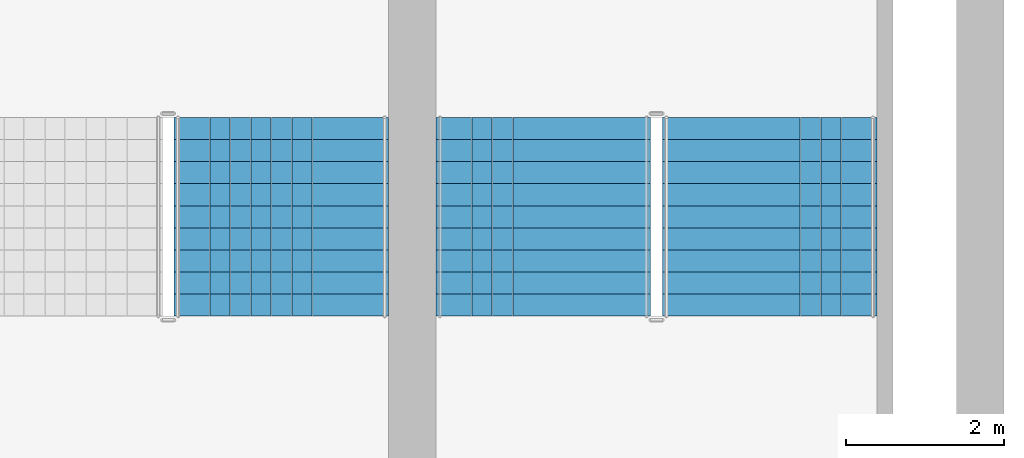
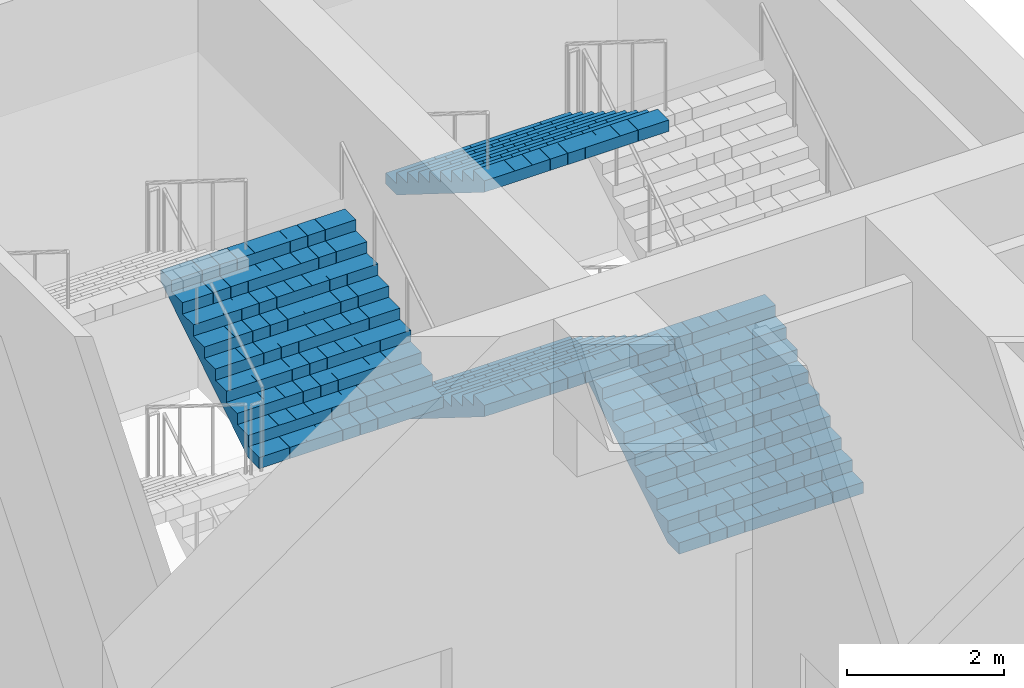
# One storey, part 39 of 45: 4 stair flights, 2 elements without a shape of their own.
"""IFC4 building model written with IfcOpenShell, lengths in metres."""

from ifc_helpers import new_model, si_unit, direction, frame, origin, place, context, subcontext, project, spatial, polyline, outline, extrude, material, type_object, element, aggregate, save


model = new_model("IFC4")

# Units and contexts
model_context = context("Model", 3, precision=1e-05, world=origin(), true_north=direction((0.0, 1.0)))
body_context = subcontext(model_context, "Body", "Model", "MODEL_VIEW")
ifc_project = project(units=[si_unit("LENGTHUNIT", "METRE"), si_unit("AREAUNIT", "SQUARE_METRE"), si_unit("VOLUMEUNIT", "CUBIC_METRE"), si_unit("PLANEANGLEUNIT", "RADIAN"), si_unit("MASSUNIT", "GRAM", prefix="KILO")], contexts=[model_context])

# Site, building, storey
site_placement = place(None, origin())
site = spatial("IfcSite", under=ifc_project, at=site_placement, CompositionType="ELEMENT")
building_placement = place(site_placement, origin())
building = spatial("IfcBuilding", under=site, at=building_placement, Name="Corbelhall Arena Tower", CompositionType="ELEMENT")
storey_placement = place(building_placement, frame((0.0, 0.0, 37.0)))
storey = spatial("IfcBuildingStorey", under=building, at=storey_placement, Name="L05", CompositionType="ELEMENT", Elevation=37.0)

# Stair, stair flight
ifc_material = material(Name="Reinforced concrete C40/50", Category="concrete")
stair_type = type_object("IfcStairType", Name="AR-EXIT-STAIR", PredefinedType="HALF_TURN_STAIR", material=ifc_material)
stair_1_placement = place(storey_placement, origin())
stair_1 = element("IfcStair", 1, at=stair_1_placement, inside=storey, type_object=stair_type, Name="L05 exit stair AS1", PredefinedType="HALF_TURN_STAIR")
stair_flight_type = type_object("IfcStairFlightType", Name="AR-EXIT-FLIGHT", PredefinedType="STRAIGHT", material=ifc_material)
stair_flight_1_placement = place(storey_placement, frame((38.840087890625, 27.320068359375, 3.5), z_axis=(0.0, 0.0, 1.0), x_axis=(0.0, 1.0, 0.0)))
stair_flight_1 = element("IfcStairFlight", 2, at=stair_flight_1_placement, type_object=stair_flight_type, Name="AS1 flight 3", NumberOfRisers=10, NumberOfTreads=9, PredefinedType="STRAIGHT", RiserHeight=0.175, TreadLength=0.28, context=body_context, shape_type="SweptSolid", body=[
    extrude(outline(polyline([(0.0, 0.0), (0.0, 0.175048828125), (0.280029296875, 0.175048828125), (0.280029296875, 0.35009765625), (0.56005859375, 0.35009765625), (0.56005859375, 0.52490234375), (0.840087890625, 0.52490234375), (0.840087890625, 0.699951171875), (1.1201171875, 0.699951171875), (1.1201171875, 0.875), (1.39990234375, 0.875), (1.39990234375, 1.050048828125), (1.679931640625, 1.050048828125), (1.679931640625, 1.22509765625), (1.9599609375, 1.22509765625), (1.9599609375, 1.39990234375), (2.239990234375, 1.39990234375), (2.239990234375, 1.574951171875), (2.52001953125, 1.574951171875), (2.52001953125, 1.75), (2.52001953125, 1.398193359375), (0.28271484375, 0.0), (0.0, 0.0)])), frame((0.0, 1.35986328125, 0.0), z_axis=(0.0, -1.0, 0.0), x_axis=(1.0, 0.0, 0.0)), (0.0, 0.0, 1.0), 0.449951171875),
    extrude(outline(polyline([(0.0, 0.0), (0.0, 0.175048828125), (0.280029296875, 0.175048828125), (0.280029296875, 0.35009765625), (0.56005859375, 0.35009765625), (0.56005859375, 0.52490234375), (0.840087890625, 0.52490234375), (0.840087890625, 0.699951171875), (1.1201171875, 0.699951171875), (1.1201171875, 0.875), (1.39990234375, 0.875), (1.39990234375, 1.050048828125), (1.679931640625, 1.050048828125), (1.679931640625, 1.22509765625), (1.9599609375, 1.22509765625), (1.9599609375, 1.39990234375), (2.239990234375, 1.39990234375), (2.239990234375, 1.574951171875), (2.52001953125, 1.574951171875), (2.52001953125, 1.75), (2.52001953125, 1.398193359375), (0.28271484375, 0.0), (0.0, 0.0)])), frame((0.0, 0.906005859375, 0.0), z_axis=(0.0, -1.0, 0.0), x_axis=(1.0, 0.0, 0.0)), (0.0, 0.0, 1.0), 0.25537109375),
    extrude(outline(polyline([(0.0, 0.0), (0.0, 0.175048828125), (0.280029296875, 0.175048828125), (0.280029296875, 0.35009765625), (0.56005859375, 0.35009765625), (0.56005859375, 0.52490234375), (0.840087890625, 0.52490234375), (0.840087890625, 0.699951171875), (1.1201171875, 0.699951171875), (1.1201171875, 0.875), (1.39990234375, 0.875), (1.39990234375, 1.050048828125), (1.679931640625, 1.050048828125), (1.679931640625, 1.22509765625), (1.9599609375, 1.22509765625), (1.9599609375, 1.39990234375), (2.239990234375, 1.39990234375), (2.239990234375, 1.574951171875), (2.52001953125, 1.574951171875), (2.52001953125, 1.75), (2.52001953125, 1.398193359375), (0.28271484375, 0.0), (0.0, 0.0)])), frame((0.0, 0.646484375, 0.0), z_axis=(0.0, -1.0, 0.0), x_axis=(1.0, 0.0, 0.0)), (0.0, 0.0, 1.0), 0.25537109375),
    extrude(outline(polyline([(0.0, 0.0), (0.0, 0.175048828125), (0.280029296875, 0.175048828125), (0.280029296875, 0.35009765625), (0.56005859375, 0.35009765625), (0.56005859375, 0.52490234375), (0.840087890625, 0.52490234375), (0.840087890625, 0.699951171875), (1.1201171875, 0.699951171875), (1.1201171875, 0.875), (1.39990234375, 0.875), (1.39990234375, 1.050048828125), (1.679931640625, 1.050048828125), (1.679931640625, 1.22509765625), (1.9599609375, 1.22509765625), (1.9599609375, 1.39990234375), (2.239990234375, 1.39990234375), (2.239990234375, 1.574951171875), (2.52001953125, 1.574951171875), (2.52001953125, 1.75), (2.52001953125, 1.398193359375), (0.28271484375, 0.0), (0.0, 0.0)])), frame((0.0, 0.38720703125, 0.0), z_axis=(0.0, -1.0, 0.0), x_axis=(1.0, 0.0, 0.0)), (0.0, 0.0, 1.0), 0.25537109375),
    extrude(outline(polyline([(0.0, 0.0), (0.0, 0.175048828125), (0.280029296875, 0.175048828125), (0.280029296875, 0.35009765625), (0.56005859375, 0.35009765625), (0.56005859375, 0.52490234375), (0.840087890625, 0.52490234375), (0.840087890625, 0.699951171875), (1.1201171875, 0.699951171875), (1.1201171875, 0.875), (1.39990234375, 0.875), (1.39990234375, 1.050048828125), (1.679931640625, 1.050048828125), (1.679931640625, 1.22509765625), (1.9599609375, 1.22509765625), (1.9599609375, 1.39990234375), (2.239990234375, 1.39990234375), (2.239990234375, 1.574951171875), (2.52001953125, 1.574951171875), (2.52001953125, 1.75), (2.52001953125, 1.398193359375), (0.28271484375, 0.0), (0.0, 0.0)])), frame((0.0, 0.127685546875, 0.0), z_axis=(0.0, -1.0, 0.0), x_axis=(1.0, 0.0, 0.0)), (0.0, 0.0, 1.0), 0.25537109375),
    extrude(outline(polyline([(0.0, 0.0), (0.0, 0.175048828125), (0.280029296875, 0.175048828125), (0.280029296875, 0.35009765625), (0.56005859375, 0.35009765625), (0.56005859375, 0.52490234375), (0.840087890625, 0.52490234375), (0.840087890625, 0.699951171875), (1.1201171875, 0.699951171875), (1.1201171875, 0.875), (1.39990234375, 0.875), (1.39990234375, 1.050048828125), (1.679931640625, 1.050048828125), (1.679931640625, 1.22509765625), (1.9599609375, 1.22509765625), (1.9599609375, 1.39990234375), (2.239990234375, 1.39990234375), (2.239990234375, 1.574951171875), (2.52001953125, 1.574951171875), (2.52001953125, 1.75), (2.52001953125, 1.398193359375), (0.28271484375, 0.0), (0.0, 0.0)])), frame((0.0, -0.131591796875, 0.0), z_axis=(0.0, -1.0, 0.0), x_axis=(1.0, 0.0, 0.0)), (0.0, 0.0, 1.0), 0.25537109375),
    extrude(outline(polyline([(0.0, 0.0), (0.0, 0.175048828125), (0.280029296875, 0.175048828125), (0.280029296875, 0.35009765625), (0.56005859375, 0.35009765625), (0.56005859375, 0.52490234375), (0.840087890625, 0.52490234375), (0.840087890625, 0.699951171875), (1.1201171875, 0.699951171875), (1.1201171875, 0.875), (1.39990234375, 0.875), (1.39990234375, 1.050048828125), (1.679931640625, 1.050048828125), (1.679931640625, 1.22509765625), (1.9599609375, 1.22509765625), (1.9599609375, 1.39990234375), (2.239990234375, 1.39990234375), (2.239990234375, 1.574951171875), (2.52001953125, 1.574951171875), (2.52001953125, 1.75), (2.52001953125, 1.398193359375), (0.28271484375, 0.0), (0.0, 0.0)])), frame((0.0, -0.39111328125, 0.0), z_axis=(0.0, -1.0, 0.0), x_axis=(1.0, 0.0, 0.0)), (0.0, 0.0, 1.0), 0.25537109375),
    extrude(outline(polyline([(0.0, 0.0), (0.0, 0.175048828125), (0.280029296875, 0.175048828125), (0.280029296875, 0.35009765625), (0.56005859375, 0.35009765625), (0.56005859375, 0.52490234375), (0.840087890625, 0.52490234375), (0.840087890625, 0.699951171875), (1.1201171875, 0.699951171875), (1.1201171875, 0.875), (1.39990234375, 0.875), (1.39990234375, 1.050048828125), (1.679931640625, 1.050048828125), (1.679931640625, 1.22509765625), (1.9599609375, 1.22509765625), (1.9599609375, 1.39990234375), (2.239990234375, 1.39990234375), (2.239990234375, 1.574951171875), (2.52001953125, 1.574951171875), (2.52001953125, 1.75), (2.52001953125, 1.398193359375), (0.28271484375, 0.0), (0.0, 0.0)])), frame((0.0, -0.650634765625, 0.0), z_axis=(0.0, -1.0, 0.0), x_axis=(1.0, 0.0, 0.0)), (0.0, 0.0, 1.0), 0.25537109375),
    extrude(outline(polyline([(0.0, 0.0), (0.0, 0.175048828125), (0.280029296875, 0.175048828125), (0.280029296875, 0.35009765625), (0.56005859375, 0.35009765625), (0.56005859375, 0.52490234375), (0.840087890625, 0.52490234375), (0.840087890625, 0.699951171875), (1.1201171875, 0.699951171875), (1.1201171875, 0.875), (1.39990234375, 0.875), (1.39990234375, 1.050048828125), (1.679931640625, 1.050048828125), (1.679931640625, 1.22509765625), (1.9599609375, 1.22509765625), (1.9599609375, 1.39990234375), (2.239990234375, 1.39990234375), (2.239990234375, 1.574951171875), (2.52001953125, 1.574951171875), (2.52001953125, 1.75), (2.52001953125, 1.398193359375), (0.28271484375, 0.0), (0.0, 0.0)])), frame((0.0, -0.909912109375, 0.0), z_axis=(0.0, -1.0, 0.0), x_axis=(1.0, 0.0, 0.0)), (0.0, 0.0, 1.0), 0.449951171875),
])
aggregate(stair_1, [stair_flight_1])

# Stair, stair flights
stair_2_placement = place(storey_placement, origin())
stair_2 = element("IfcStair", 3, at=stair_2_placement, inside=storey, type_object=stair_type, Name="L05 exit stair AS2", PredefinedType="HALF_TURN_STAIR")
stair_flight_2_placement = place(storey_placement, frame((45.030029296875, 27.320068359375, 0.0), z_axis=(0.0, 0.0, 1.0), x_axis=(0.0, 1.0, 0.0)))
stair_flight_2 = element("IfcStairFlight", 4, at=stair_flight_2_placement, type_object=stair_flight_type, Name="AS2 flight 1", NumberOfRisers=10, NumberOfTreads=9, PredefinedType="STRAIGHT", RiserHeight=0.175, TreadLength=0.28, context=body_context, shape_type="SweptSolid", body=[
    extrude(outline(polyline([(0.0, 0.0), (0.0, 0.175048828125), (0.280029296875, 0.175048828125), (0.280029296875, 0.35009765625), (0.56005859375, 0.35009765625), (0.56005859375, 0.52490234375), (0.840087890625, 0.52490234375), (0.840087890625, 0.699951171875), (1.1201171875, 0.699951171875), (1.1201171875, 0.875), (1.39990234375, 0.875), (1.39990234375, 1.050048828125), (1.679931640625, 1.050048828125), (1.679931640625, 1.22509765625), (1.9599609375, 1.22509765625), (1.9599609375, 1.39990234375), (2.239990234375, 1.39990234375), (2.239990234375, 1.574951171875), (2.52001953125, 1.574951171875), (2.52001953125, 1.75), (2.52001953125, 1.398193359375), (0.28271484375, 0.0), (0.0, 0.0)])), frame((0.0, 1.35986328125, 0.0), z_axis=(0.0, -1.0, 0.0), x_axis=(1.0, 0.0, 0.0)), (0.0, 0.0, 1.0), 0.449951171875),
    extrude(outline(polyline([(0.0, 0.0), (0.0, 0.175048828125), (0.280029296875, 0.175048828125), (0.280029296875, 0.35009765625), (0.56005859375, 0.35009765625), (0.56005859375, 0.52490234375), (0.840087890625, 0.52490234375), (0.840087890625, 0.699951171875), (1.1201171875, 0.699951171875), (1.1201171875, 0.875), (1.39990234375, 0.875), (1.39990234375, 1.050048828125), (1.679931640625, 1.050048828125), (1.679931640625, 1.22509765625), (1.9599609375, 1.22509765625), (1.9599609375, 1.39990234375), (2.239990234375, 1.39990234375), (2.239990234375, 1.574951171875), (2.52001953125, 1.574951171875), (2.52001953125, 1.75), (2.52001953125, 1.398193359375), (0.28271484375, 0.0), (0.0, 0.0)])), frame((0.0, 0.906005859375, 0.0), z_axis=(0.0, -1.0, 0.0), x_axis=(1.0, 0.0, 0.0)), (0.0, 0.0, 1.0), 0.25537109375),
    extrude(outline(polyline([(0.0, 0.0), (0.0, 0.175048828125), (0.280029296875, 0.175048828125), (0.280029296875, 0.35009765625), (0.56005859375, 0.35009765625), (0.56005859375, 0.52490234375), (0.840087890625, 0.52490234375), (0.840087890625, 0.699951171875), (1.1201171875, 0.699951171875), (1.1201171875, 0.875), (1.39990234375, 0.875), (1.39990234375, 1.050048828125), (1.679931640625, 1.050048828125), (1.679931640625, 1.22509765625), (1.9599609375, 1.22509765625), (1.9599609375, 1.39990234375), (2.239990234375, 1.39990234375), (2.239990234375, 1.574951171875), (2.52001953125, 1.574951171875), (2.52001953125, 1.75), (2.52001953125, 1.398193359375), (0.28271484375, 0.0), (0.0, 0.0)])), frame((0.0, 0.646484375, 0.0), z_axis=(0.0, -1.0, 0.0), x_axis=(1.0, 0.0, 0.0)), (0.0, 0.0, 1.0), 0.25537109375),
    extrude(outline(polyline([(0.0, 0.0), (0.0, 0.175048828125), (0.280029296875, 0.175048828125), (0.280029296875, 0.35009765625), (0.56005859375, 0.35009765625), (0.56005859375, 0.52490234375), (0.840087890625, 0.52490234375), (0.840087890625, 0.699951171875), (1.1201171875, 0.699951171875), (1.1201171875, 0.875), (1.39990234375, 0.875), (1.39990234375, 1.050048828125), (1.679931640625, 1.050048828125), (1.679931640625, 1.22509765625), (1.9599609375, 1.22509765625), (1.9599609375, 1.39990234375), (2.239990234375, 1.39990234375), (2.239990234375, 1.574951171875), (2.52001953125, 1.574951171875), (2.52001953125, 1.75), (2.52001953125, 1.398193359375), (0.28271484375, 0.0), (0.0, 0.0)])), frame((0.0, 0.38720703125, 0.0), z_axis=(0.0, -1.0, 0.0), x_axis=(1.0, 0.0, 0.0)), (0.0, 0.0, 1.0), 0.25537109375),
    extrude(outline(polyline([(0.0, 0.0), (0.0, 0.175048828125), (0.280029296875, 0.175048828125), (0.280029296875, 0.35009765625), (0.56005859375, 0.35009765625), (0.56005859375, 0.52490234375), (0.840087890625, 0.52490234375), (0.840087890625, 0.699951171875), (1.1201171875, 0.699951171875), (1.1201171875, 0.875), (1.39990234375, 0.875), (1.39990234375, 1.050048828125), (1.679931640625, 1.050048828125), (1.679931640625, 1.22509765625), (1.9599609375, 1.22509765625), (1.9599609375, 1.39990234375), (2.239990234375, 1.39990234375), (2.239990234375, 1.574951171875), (2.52001953125, 1.574951171875), (2.52001953125, 1.75), (2.52001953125, 1.398193359375), (0.28271484375, 0.0), (0.0, 0.0)])), frame((0.0, 0.127685546875, 0.0), z_axis=(0.0, -1.0, 0.0), x_axis=(1.0, 0.0, 0.0)), (0.0, 0.0, 1.0), 0.25537109375),
    extrude(outline(polyline([(0.0, 0.0), (0.0, 0.175048828125), (0.280029296875, 0.175048828125), (0.280029296875, 0.35009765625), (0.56005859375, 0.35009765625), (0.56005859375, 0.52490234375), (0.840087890625, 0.52490234375), (0.840087890625, 0.699951171875), (1.1201171875, 0.699951171875), (1.1201171875, 0.875), (1.39990234375, 0.875), (1.39990234375, 1.050048828125), (1.679931640625, 1.050048828125), (1.679931640625, 1.22509765625), (1.9599609375, 1.22509765625), (1.9599609375, 1.39990234375), (2.239990234375, 1.39990234375), (2.239990234375, 1.574951171875), (2.52001953125, 1.574951171875), (2.52001953125, 1.75), (2.52001953125, 1.398193359375), (0.28271484375, 0.0), (0.0, 0.0)])), frame((0.0, -0.131591796875, 0.0), z_axis=(0.0, -1.0, 0.0), x_axis=(1.0, 0.0, 0.0)), (0.0, 0.0, 1.0), 0.25537109375),
    extrude(outline(polyline([(0.0, 0.0), (0.0, 0.175048828125), (0.280029296875, 0.175048828125), (0.280029296875, 0.35009765625), (0.56005859375, 0.35009765625), (0.56005859375, 0.52490234375), (0.840087890625, 0.52490234375), (0.840087890625, 0.699951171875), (1.1201171875, 0.699951171875), (1.1201171875, 0.875), (1.39990234375, 0.875), (1.39990234375, 1.050048828125), (1.679931640625, 1.050048828125), (1.679931640625, 1.22509765625), (1.9599609375, 1.22509765625), (1.9599609375, 1.39990234375), (2.239990234375, 1.39990234375), (2.239990234375, 1.574951171875), (2.52001953125, 1.574951171875), (2.52001953125, 1.75), (2.52001953125, 1.398193359375), (0.28271484375, 0.0), (0.0, 0.0)])), frame((0.0, -0.39111328125, 0.0), z_axis=(0.0, -1.0, 0.0), x_axis=(1.0, 0.0, 0.0)), (0.0, 0.0, 1.0), 0.25537109375),
    extrude(outline(polyline([(0.0, 0.0), (0.0, 0.175048828125), (0.280029296875, 0.175048828125), (0.280029296875, 0.35009765625), (0.56005859375, 0.35009765625), (0.56005859375, 0.52490234375), (0.840087890625, 0.52490234375), (0.840087890625, 0.699951171875), (1.1201171875, 0.699951171875), (1.1201171875, 0.875), (1.39990234375, 0.875), (1.39990234375, 1.050048828125), (1.679931640625, 1.050048828125), (1.679931640625, 1.22509765625), (1.9599609375, 1.22509765625), (1.9599609375, 1.39990234375), (2.239990234375, 1.39990234375), (2.239990234375, 1.574951171875), (2.52001953125, 1.574951171875), (2.52001953125, 1.75), (2.52001953125, 1.398193359375), (0.28271484375, 0.0), (0.0, 0.0)])), frame((0.0, -0.650634765625, 0.0), z_axis=(0.0, -1.0, 0.0), x_axis=(1.0, 0.0, 0.0)), (0.0, 0.0, 1.0), 0.25537109375),
    extrude(outline(polyline([(0.0, 0.0), (0.0, 0.175048828125), (0.280029296875, 0.175048828125), (0.280029296875, 0.35009765625), (0.56005859375, 0.35009765625), (0.56005859375, 0.52490234375), (0.840087890625, 0.52490234375), (0.840087890625, 0.699951171875), (1.1201171875, 0.699951171875), (1.1201171875, 0.875), (1.39990234375, 0.875), (1.39990234375, 1.050048828125), (1.679931640625, 1.050048828125), (1.679931640625, 1.22509765625), (1.9599609375, 1.22509765625), (1.9599609375, 1.39990234375), (2.239990234375, 1.39990234375), (2.239990234375, 1.574951171875), (2.52001953125, 1.574951171875), (2.52001953125, 1.75), (2.52001953125, 1.398193359375), (0.28271484375, 0.0), (0.0, 0.0)])), frame((0.0, -0.909912109375, 0.0), z_axis=(0.0, -1.0, 0.0), x_axis=(1.0, 0.0, 0.0)), (0.0, 0.0, 1.0), 0.449951171875),
])
stair_flight_3_placement = place(storey_placement, frame((42.159912109375, 29.840087890625, 1.75), z_axis=(0.0, 0.0, 1.0), x_axis=(0.0, -1.0, 0.0)))
stair_flight_3 = element("IfcStairFlight", 5, at=stair_flight_3_placement, type_object=stair_flight_type, Name="AS2 flight 2", NumberOfRisers=10, NumberOfTreads=9, PredefinedType="STRAIGHT", RiserHeight=0.175, TreadLength=0.28, context=body_context, shape_type="SweptSolid", body=[
    extrude(outline(polyline([(0.0, 0.0), (0.0, 0.175048828125), (0.280029296875, 0.175048828125), (0.280029296875, 0.35009765625), (0.56005859375, 0.35009765625), (0.56005859375, 0.52490234375), (0.840087890625, 0.52490234375), (0.840087890625, 0.699951171875), (1.1201171875, 0.699951171875), (1.1201171875, 0.875), (1.39990234375, 0.875), (1.39990234375, 1.050048828125), (1.679931640625, 1.050048828125), (1.679931640625, 1.22509765625), (1.9599609375, 1.22509765625), (1.9599609375, 1.39990234375), (2.239990234375, 1.39990234375), (2.239990234375, 1.574951171875), (2.52001953125, 1.574951171875), (2.52001953125, 1.75), (2.52001953125, 1.398193359375), (0.28271484375, 0.0), (0.0, 0.0)])), frame((0.0, 1.35986328125, 0.0), z_axis=(0.0, -1.0, 0.0), x_axis=(1.0, 0.0, 0.0)), (0.0, 0.0, 1.0), 0.449951171875),
    extrude(outline(polyline([(0.0, 0.0), (0.0, 0.175048828125), (0.280029296875, 0.175048828125), (0.280029296875, 0.35009765625), (0.56005859375, 0.35009765625), (0.56005859375, 0.52490234375), (0.840087890625, 0.52490234375), (0.840087890625, 0.699951171875), (1.1201171875, 0.699951171875), (1.1201171875, 0.875), (1.39990234375, 0.875), (1.39990234375, 1.050048828125), (1.679931640625, 1.050048828125), (1.679931640625, 1.22509765625), (1.9599609375, 1.22509765625), (1.9599609375, 1.39990234375), (2.239990234375, 1.39990234375), (2.239990234375, 1.574951171875), (2.52001953125, 1.574951171875), (2.52001953125, 1.75), (2.52001953125, 1.398193359375), (0.28271484375, 0.0), (0.0, 0.0)])), frame((0.0, 0.906005859375, 0.0), z_axis=(0.0, -1.0, 0.0), x_axis=(1.0, 0.0, 0.0)), (0.0, 0.0, 1.0), 0.25537109375),
    extrude(outline(polyline([(0.0, 0.0), (0.0, 0.175048828125), (0.280029296875, 0.175048828125), (0.280029296875, 0.35009765625), (0.56005859375, 0.35009765625), (0.56005859375, 0.52490234375), (0.840087890625, 0.52490234375), (0.840087890625, 0.699951171875), (1.1201171875, 0.699951171875), (1.1201171875, 0.875), (1.39990234375, 0.875), (1.39990234375, 1.050048828125), (1.679931640625, 1.050048828125), (1.679931640625, 1.22509765625), (1.9599609375, 1.22509765625), (1.9599609375, 1.39990234375), (2.239990234375, 1.39990234375), (2.239990234375, 1.574951171875), (2.52001953125, 1.574951171875), (2.52001953125, 1.75), (2.52001953125, 1.398193359375), (0.28271484375, 0.0), (0.0, 0.0)])), frame((0.0, 0.646484375, 0.0), z_axis=(0.0, -1.0, 0.0), x_axis=(1.0, 0.0, 0.0)), (0.0, 0.0, 1.0), 0.25537109375),
    extrude(outline(polyline([(0.0, 0.0), (0.0, 0.175048828125), (0.280029296875, 0.175048828125), (0.280029296875, 0.35009765625), (0.56005859375, 0.35009765625), (0.56005859375, 0.52490234375), (0.840087890625, 0.52490234375), (0.840087890625, 0.699951171875), (1.1201171875, 0.699951171875), (1.1201171875, 0.875), (1.39990234375, 0.875), (1.39990234375, 1.050048828125), (1.679931640625, 1.050048828125), (1.679931640625, 1.22509765625), (1.9599609375, 1.22509765625), (1.9599609375, 1.39990234375), (2.239990234375, 1.39990234375), (2.239990234375, 1.574951171875), (2.52001953125, 1.574951171875), (2.52001953125, 1.75), (2.52001953125, 1.398193359375), (0.28271484375, 0.0), (0.0, 0.0)])), frame((0.0, 0.38720703125, 0.0), z_axis=(0.0, -1.0, 0.0), x_axis=(1.0, 0.0, 0.0)), (0.0, 0.0, 1.0), 0.25537109375),
    extrude(outline(polyline([(0.0, 0.0), (0.0, 0.175048828125), (0.280029296875, 0.175048828125), (0.280029296875, 0.35009765625), (0.56005859375, 0.35009765625), (0.56005859375, 0.52490234375), (0.840087890625, 0.52490234375), (0.840087890625, 0.699951171875), (1.1201171875, 0.699951171875), (1.1201171875, 0.875), (1.39990234375, 0.875), (1.39990234375, 1.050048828125), (1.679931640625, 1.050048828125), (1.679931640625, 1.22509765625), (1.9599609375, 1.22509765625), (1.9599609375, 1.39990234375), (2.239990234375, 1.39990234375), (2.239990234375, 1.574951171875), (2.52001953125, 1.574951171875), (2.52001953125, 1.75), (2.52001953125, 1.398193359375), (0.28271484375, 0.0), (0.0, 0.0)])), frame((0.0, 0.127685546875, 0.0), z_axis=(0.0, -1.0, 0.0), x_axis=(1.0, 0.0, 0.0)), (0.0, 0.0, 1.0), 0.25537109375),
    extrude(outline(polyline([(0.0, 0.0), (0.0, 0.175048828125), (0.280029296875, 0.175048828125), (0.280029296875, 0.35009765625), (0.56005859375, 0.35009765625), (0.56005859375, 0.52490234375), (0.840087890625, 0.52490234375), (0.840087890625, 0.699951171875), (1.1201171875, 0.699951171875), (1.1201171875, 0.875), (1.39990234375, 0.875), (1.39990234375, 1.050048828125), (1.679931640625, 1.050048828125), (1.679931640625, 1.22509765625), (1.9599609375, 1.22509765625), (1.9599609375, 1.39990234375), (2.239990234375, 1.39990234375), (2.239990234375, 1.574951171875), (2.52001953125, 1.574951171875), (2.52001953125, 1.75), (2.52001953125, 1.398193359375), (0.28271484375, 0.0), (0.0, 0.0)])), frame((0.0, -0.131591796875, 0.0), z_axis=(0.0, -1.0, 0.0), x_axis=(1.0, 0.0, 0.0)), (0.0, 0.0, 1.0), 0.25537109375),
    extrude(outline(polyline([(0.0, 0.0), (0.0, 0.175048828125), (0.280029296875, 0.175048828125), (0.280029296875, 0.35009765625), (0.56005859375, 0.35009765625), (0.56005859375, 0.52490234375), (0.840087890625, 0.52490234375), (0.840087890625, 0.699951171875), (1.1201171875, 0.699951171875), (1.1201171875, 0.875), (1.39990234375, 0.875), (1.39990234375, 1.050048828125), (1.679931640625, 1.050048828125), (1.679931640625, 1.22509765625), (1.9599609375, 1.22509765625), (1.9599609375, 1.39990234375), (2.239990234375, 1.39990234375), (2.239990234375, 1.574951171875), (2.52001953125, 1.574951171875), (2.52001953125, 1.75), (2.52001953125, 1.398193359375), (0.28271484375, 0.0), (0.0, 0.0)])), frame((0.0, -0.39111328125, 0.0), z_axis=(0.0, -1.0, 0.0), x_axis=(1.0, 0.0, 0.0)), (0.0, 0.0, 1.0), 0.25537109375),
    extrude(outline(polyline([(0.0, 0.0), (0.0, 0.175048828125), (0.280029296875, 0.175048828125), (0.280029296875, 0.35009765625), (0.56005859375, 0.35009765625), (0.56005859375, 0.52490234375), (0.840087890625, 0.52490234375), (0.840087890625, 0.699951171875), (1.1201171875, 0.699951171875), (1.1201171875, 0.875), (1.39990234375, 0.875), (1.39990234375, 1.050048828125), (1.679931640625, 1.050048828125), (1.679931640625, 1.22509765625), (1.9599609375, 1.22509765625), (1.9599609375, 1.39990234375), (2.239990234375, 1.39990234375), (2.239990234375, 1.574951171875), (2.52001953125, 1.574951171875), (2.52001953125, 1.75), (2.52001953125, 1.398193359375), (0.28271484375, 0.0), (0.0, 0.0)])), frame((0.0, -0.650634765625, 0.0), z_axis=(0.0, -1.0, 0.0), x_axis=(1.0, 0.0, 0.0)), (0.0, 0.0, 1.0), 0.25537109375),
    extrude(outline(polyline([(0.0, 0.0), (0.0, 0.175048828125), (0.280029296875, 0.175048828125), (0.280029296875, 0.35009765625), (0.56005859375, 0.35009765625), (0.56005859375, 0.52490234375), (0.840087890625, 0.52490234375), (0.840087890625, 0.699951171875), (1.1201171875, 0.699951171875), (1.1201171875, 0.875), (1.39990234375, 0.875), (1.39990234375, 1.050048828125), (1.679931640625, 1.050048828125), (1.679931640625, 1.22509765625), (1.9599609375, 1.22509765625), (1.9599609375, 1.39990234375), (2.239990234375, 1.39990234375), (2.239990234375, 1.574951171875), (2.52001953125, 1.574951171875), (2.52001953125, 1.75), (2.52001953125, 1.398193359375), (0.28271484375, 0.0), (0.0, 0.0)])), frame((0.0, -0.909912109375, 0.0), z_axis=(0.0, -1.0, 0.0), x_axis=(1.0, 0.0, 0.0)), (0.0, 0.0, 1.0), 0.449951171875),
])
stair_flight_4_placement = place(storey_placement, frame((42.159912109375, 29.840087890625, 5.25), z_axis=(0.0, 0.0, 1.0), x_axis=(0.0, -1.0, 0.0)))
stair_flight_4 = element("IfcStairFlight", 6, at=stair_flight_4_placement, type_object=stair_flight_type, Name="AS2 flight 4", NumberOfRisers=10, NumberOfTreads=9, PredefinedType="STRAIGHT", RiserHeight=0.175, TreadLength=0.28, context=body_context, shape_type="SweptSolid", body=[
    extrude(outline(polyline([(0.0, 0.0), (0.0, 0.175048828125), (0.280029296875, 0.175048828125), (0.280029296875, 0.35009765625), (0.56005859375, 0.35009765625), (0.56005859375, 0.52490234375), (0.840087890625, 0.52490234375), (0.840087890625, 0.699951171875), (1.1201171875, 0.699951171875), (1.1201171875, 0.875), (1.39990234375, 0.875), (1.39990234375, 1.050048828125), (1.679931640625, 1.050048828125), (1.679931640625, 1.22509765625), (1.9599609375, 1.22509765625), (1.9599609375, 1.39990234375), (2.239990234375, 1.39990234375), (2.239990234375, 1.574951171875), (2.52001953125, 1.574951171875), (2.52001953125, 1.75), (2.52001953125, 1.398193359375), (0.28271484375, 0.0), (0.0, 0.0)])), frame((0.0, 1.35986328125, 0.0), z_axis=(0.0, -1.0, 0.0), x_axis=(1.0, 0.0, 0.0)), (0.0, 0.0, 1.0), 0.449951171875),
    extrude(outline(polyline([(0.0, 0.0), (0.0, 0.175048828125), (0.280029296875, 0.175048828125), (0.280029296875, 0.35009765625), (0.56005859375, 0.35009765625), (0.56005859375, 0.52490234375), (0.840087890625, 0.52490234375), (0.840087890625, 0.699951171875), (1.1201171875, 0.699951171875), (1.1201171875, 0.875), (1.39990234375, 0.875), (1.39990234375, 1.050048828125), (1.679931640625, 1.050048828125), (1.679931640625, 1.22509765625), (1.9599609375, 1.22509765625), (1.9599609375, 1.39990234375), (2.239990234375, 1.39990234375), (2.239990234375, 1.574951171875), (2.52001953125, 1.574951171875), (2.52001953125, 1.75), (2.52001953125, 1.398193359375), (0.28271484375, 0.0), (0.0, 0.0)])), frame((0.0, 0.906005859375, 0.0), z_axis=(0.0, -1.0, 0.0), x_axis=(1.0, 0.0, 0.0)), (0.0, 0.0, 1.0), 0.25537109375),
    extrude(outline(polyline([(0.0, 0.0), (0.0, 0.175048828125), (0.280029296875, 0.175048828125), (0.280029296875, 0.35009765625), (0.56005859375, 0.35009765625), (0.56005859375, 0.52490234375), (0.840087890625, 0.52490234375), (0.840087890625, 0.699951171875), (1.1201171875, 0.699951171875), (1.1201171875, 0.875), (1.39990234375, 0.875), (1.39990234375, 1.050048828125), (1.679931640625, 1.050048828125), (1.679931640625, 1.22509765625), (1.9599609375, 1.22509765625), (1.9599609375, 1.39990234375), (2.239990234375, 1.39990234375), (2.239990234375, 1.574951171875), (2.52001953125, 1.574951171875), (2.52001953125, 1.75), (2.52001953125, 1.398193359375), (0.28271484375, 0.0), (0.0, 0.0)])), frame((0.0, 0.646484375, 0.0), z_axis=(0.0, -1.0, 0.0), x_axis=(1.0, 0.0, 0.0)), (0.0, 0.0, 1.0), 0.25537109375),
    extrude(outline(polyline([(0.0, 0.0), (0.0, 0.175048828125), (0.280029296875, 0.175048828125), (0.280029296875, 0.35009765625), (0.56005859375, 0.35009765625), (0.56005859375, 0.52490234375), (0.840087890625, 0.52490234375), (0.840087890625, 0.699951171875), (1.1201171875, 0.699951171875), (1.1201171875, 0.875), (1.39990234375, 0.875), (1.39990234375, 1.050048828125), (1.679931640625, 1.050048828125), (1.679931640625, 1.22509765625), (1.9599609375, 1.22509765625), (1.9599609375, 1.39990234375), (2.239990234375, 1.39990234375), (2.239990234375, 1.574951171875), (2.52001953125, 1.574951171875), (2.52001953125, 1.75), (2.52001953125, 1.398193359375), (0.28271484375, 0.0), (0.0, 0.0)])), frame((0.0, 0.38720703125, 0.0), z_axis=(0.0, -1.0, 0.0), x_axis=(1.0, 0.0, 0.0)), (0.0, 0.0, 1.0), 0.25537109375),
    extrude(outline(polyline([(0.0, 0.0), (0.0, 0.175048828125), (0.280029296875, 0.175048828125), (0.280029296875, 0.35009765625), (0.56005859375, 0.35009765625), (0.56005859375, 0.52490234375), (0.840087890625, 0.52490234375), (0.840087890625, 0.699951171875), (1.1201171875, 0.699951171875), (1.1201171875, 0.875), (1.39990234375, 0.875), (1.39990234375, 1.050048828125), (1.679931640625, 1.050048828125), (1.679931640625, 1.22509765625), (1.9599609375, 1.22509765625), (1.9599609375, 1.39990234375), (2.239990234375, 1.39990234375), (2.239990234375, 1.574951171875), (2.52001953125, 1.574951171875), (2.52001953125, 1.75), (2.52001953125, 1.398193359375), (0.28271484375, 0.0), (0.0, 0.0)])), frame((0.0, 0.127685546875, 0.0), z_axis=(0.0, -1.0, 0.0), x_axis=(1.0, 0.0, 0.0)), (0.0, 0.0, 1.0), 0.25537109375),
    extrude(outline(polyline([(0.0, 0.0), (0.0, 0.175048828125), (0.280029296875, 0.175048828125), (0.280029296875, 0.35009765625), (0.56005859375, 0.35009765625), (0.56005859375, 0.52490234375), (0.840087890625, 0.52490234375), (0.840087890625, 0.699951171875), (1.1201171875, 0.699951171875), (1.1201171875, 0.875), (1.39990234375, 0.875), (1.39990234375, 1.050048828125), (1.679931640625, 1.050048828125), (1.679931640625, 1.22509765625), (1.9599609375, 1.22509765625), (1.9599609375, 1.39990234375), (2.239990234375, 1.39990234375), (2.239990234375, 1.574951171875), (2.52001953125, 1.574951171875), (2.52001953125, 1.75), (2.52001953125, 1.398193359375), (0.28271484375, 0.0), (0.0, 0.0)])), frame((0.0, -0.131591796875, 0.0), z_axis=(0.0, -1.0, 0.0), x_axis=(1.0, 0.0, 0.0)), (0.0, 0.0, 1.0), 0.25537109375),
    extrude(outline(polyline([(0.0, 0.0), (0.0, 0.175048828125), (0.280029296875, 0.175048828125), (0.280029296875, 0.35009765625), (0.56005859375, 0.35009765625), (0.56005859375, 0.52490234375), (0.840087890625, 0.52490234375), (0.840087890625, 0.699951171875), (1.1201171875, 0.699951171875), (1.1201171875, 0.875), (1.39990234375, 0.875), (1.39990234375, 1.050048828125), (1.679931640625, 1.050048828125), (1.679931640625, 1.22509765625), (1.9599609375, 1.22509765625), (1.9599609375, 1.39990234375), (2.239990234375, 1.39990234375), (2.239990234375, 1.574951171875), (2.52001953125, 1.574951171875), (2.52001953125, 1.75), (2.52001953125, 1.398193359375), (0.28271484375, 0.0), (0.0, 0.0)])), frame((0.0, -0.39111328125, 0.0), z_axis=(0.0, -1.0, 0.0), x_axis=(1.0, 0.0, 0.0)), (0.0, 0.0, 1.0), 0.25537109375),
    extrude(outline(polyline([(0.0, 0.0), (0.0, 0.175048828125), (0.280029296875, 0.175048828125), (0.280029296875, 0.35009765625), (0.56005859375, 0.35009765625), (0.56005859375, 0.52490234375), (0.840087890625, 0.52490234375), (0.840087890625, 0.699951171875), (1.1201171875, 0.699951171875), (1.1201171875, 0.875), (1.39990234375, 0.875), (1.39990234375, 1.050048828125), (1.679931640625, 1.050048828125), (1.679931640625, 1.22509765625), (1.9599609375, 1.22509765625), (1.9599609375, 1.39990234375), (2.239990234375, 1.39990234375), (2.239990234375, 1.574951171875), (2.52001953125, 1.574951171875), (2.52001953125, 1.75), (2.52001953125, 1.398193359375), (0.28271484375, 0.0), (0.0, 0.0)])), frame((0.0, -0.650634765625, 0.0), z_axis=(0.0, -1.0, 0.0), x_axis=(1.0, 0.0, 0.0)), (0.0, 0.0, 1.0), 0.25537109375),
    extrude(outline(polyline([(0.0, 0.0), (0.0, 0.175048828125), (0.280029296875, 0.175048828125), (0.280029296875, 0.35009765625), (0.56005859375, 0.35009765625), (0.56005859375, 0.52490234375), (0.840087890625, 0.52490234375), (0.840087890625, 0.699951171875), (1.1201171875, 0.699951171875), (1.1201171875, 0.875), (1.39990234375, 0.875), (1.39990234375, 1.050048828125), (1.679931640625, 1.050048828125), (1.679931640625, 1.22509765625), (1.9599609375, 1.22509765625), (1.9599609375, 1.39990234375), (2.239990234375, 1.39990234375), (2.239990234375, 1.574951171875), (2.52001953125, 1.574951171875), (2.52001953125, 1.75), (2.52001953125, 1.398193359375), (0.28271484375, 0.0), (0.0, 0.0)])), frame((0.0, -0.909912109375, 0.0), z_axis=(0.0, -1.0, 0.0), x_axis=(1.0, 0.0, 0.0)), (0.0, 0.0, 1.0), 0.449951171875),
])
aggregate(stair_2, [stair_flight_2, stair_flight_3, stair_flight_4])

save(model, "model.ifc")
